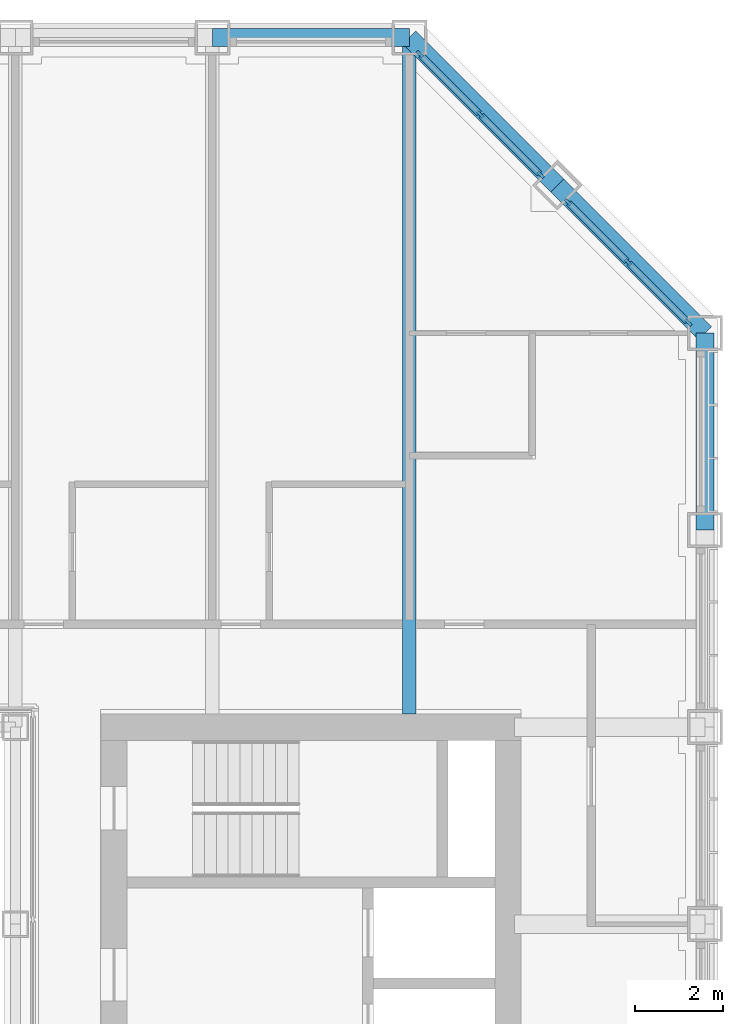
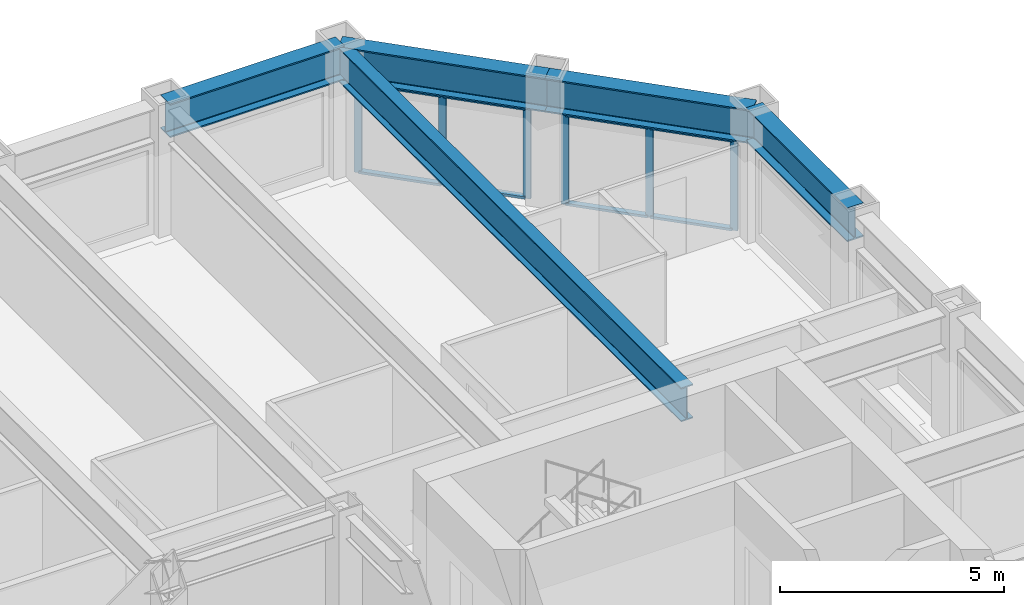
# One storey, part 8 of 18: 14 members, 5 beams, 2 elements without a shape of their own.
"""IFC4 building model written with IfcOpenShell, lengths in metres."""

import ifcopenshell
import ifcopenshell.guid

model = None  # the IFC model being written
_history = None  # IfcOwnerHistory: only IFC2X3 demands one
_inside = {}  # id of a spatial element -> (the spatial element, [elements in it])
_under = {}  # id of a project, library or spatial element -> (it, [spatial elements below it])
_declared = {}  # id of a project -> (the project, [libraries it declares])
_typed = {}  # id of a type object -> (the type object, [elements of that type])
_made_of = {}  # id of a material, layer set ... -> (it, [elements and type objects made of it])


def new_model(schema):
    """Start an empty IFC model of exactly this schema.

    Asked for "IFC4X3", IfcOpenShell would pick the latest addendum, in which some entities
    have other attributes; the version numbers below select the first issue.
    IFC2X3 requires an IfcOwnerHistory on every rooted entity: one is made here for all.
    """
    global model, _history
    if schema == "IFC4X3":
        model = ifcopenshell.file(schema_version=(4, 3, 0, 0))
    else:
        model = ifcopenshell.file(schema=schema)
    _inside.clear()
    _under.clear()
    _declared.clear()
    _typed.clear()
    _made_of.clear()
    _history = None
    if model.schema == "IFC2X3":
        org = make("IfcOrganization", Name="unknown")
        user = make(
            "IfcPersonAndOrganization",
            ThePerson=make("IfcPerson", FamilyName="unknown"),
            TheOrganization=org,
        )
        app = make(
            "IfcApplication",
            ApplicationDeveloper=org,
            Version="unknown",
            ApplicationFullName="unknown",
            ApplicationIdentifier="unknown",
        )
        _history = make(
            "IfcOwnerHistory",
            OwningUser=user,
            OwningApplication=app,
            ChangeAction="ADDED",
            CreationDate=0,
        )
    return model


def make(cls, **values):
    """One entity of the class cls with the attributes given. An attribute that is None is left unset."""
    return model.create_entity(
        cls, **{name: value for name, value in values.items() if value is not None}
    )


def rooted(cls, **values):
    """An entity with a GlobalId (a new one), such as an element, a storey or a relation."""
    return make(cls, GlobalId=ifcopenshell.guid.new(), OwnerHistory=_history, **values)


def si_unit(unit_type, name, prefix=None):
    """IfcSIUnit, for example si_unit("LENGTHUNIT", "METRE", prefix="MILLI")."""
    return make("IfcSIUnit", UnitType=unit_type, Prefix=prefix, Name=name)


def assignment(units):
    """IfcUnitAssignment: the units of a project."""
    return None if units is None else make("IfcUnitAssignment", Units=units)


def point(xyz):
    """IfcCartesianPoint."""
    return None if xyz is None else make("IfcCartesianPoint", Coordinates=xyz)


def direction(xyz):
    """IfcDirection."""
    return None if xyz is None else make("IfcDirection", DirectionRatios=xyz)


def frame(location, z_axis=None, x_axis=None):
    """IfcAxis2Placement3D, a coordinate frame: its origin and axes. An axis left out is left unset."""
    return make(
        "IfcAxis2Placement3D",
        Location=point(location),
        Axis=direction(z_axis),
        RefDirection=direction(x_axis),
    )


def frame_2d(location, x_axis=None):
    """IfcAxis2Placement2D, a coordinate frame in the plane: its origin and x axis."""
    return make(
        "IfcAxis2Placement2D", Location=point(location), RefDirection=direction(x_axis)
    )


def origin():
    """The frame at (0, 0, 0) with its axes left unset."""
    return frame((0.0, 0.0, 0.0))


def origin_2d():
    """The frame at (0, 0) in the plane with its x axis left unset."""
    return frame_2d((0.0, 0.0))


def place(relative_to, where):
    """IfcLocalPlacement: puts the frame where relative to a parent placement (None: the world)."""
    return make(
        "IfcLocalPlacement", PlacementRelTo=relative_to, RelativePlacement=where
    )


def context(
    kind, dimensions, precision=None, world=None, true_north=None, identifier=None
):
    """IfcGeometricRepresentationContext, for example the 3D "Model" context."""
    return make(
        "IfcGeometricRepresentationContext",
        ContextIdentifier=identifier,
        ContextType=kind,
        CoordinateSpaceDimension=dimensions,
        Precision=precision,
        WorldCoordinateSystem=world,
        TrueNorth=true_north,
    )


def subcontext(parent, identifier, kind, view, scale=None):
    """IfcGeometricRepresentationSubContext, for example "Body" below "Model"."""
    return make(
        "IfcGeometricRepresentationSubContext",
        ContextIdentifier=identifier,
        ContextType=kind,
        ParentContext=parent,
        TargetScale=scale,
        TargetView=view,
    )


def project(units=None, contexts=None):
    """IfcProject with its units and contexts."""
    return rooted(
        "IfcProject",
        Name="project",
        RepresentationContexts=contexts,
        UnitsInContext=assignment(units),
    )


def spatial(cls, under=None, at=None, **own):
    """A site, building, storey or space (cls), placed at a placement, below another one or the project."""
    s = rooted(cls, ObjectPlacement=at, **own)
    if under is not None:
        _under.setdefault(under.id(), (under, []))[1].append(s)
    return s


def profile(cls, at=None, kind="AREA", **sizes):
    """A parametric profile (cls). Its sizes go by their IFC names, for example OverallWidth=200.0."""
    return make(cls, ProfileType=kind, Position=at, **sizes)


def rectangle(**sizes):
    """IfcRectangleProfileDef."""
    return profile("IfcRectangleProfileDef", **sizes)


def i_section(**sizes):
    """IfcIShapeProfileDef."""
    return profile("IfcIShapeProfileDef", **sizes)


def extrude(swept, where, along, depth):
    """IfcExtrudedAreaSolid: the profile swept, set in the frame where, extruded along a direction by depth."""
    return make(
        "IfcExtrudedAreaSolid",
        SweptArea=swept,
        Position=where,
        ExtrudedDirection=direction(along),
        Depth=depth,
    )


def shape(context_of_items, identifier, shape_type, items):
    """IfcShapeRepresentation: the items that make up one representation, for example the "Body"."""
    return make(
        "IfcShapeRepresentation",
        ContextOfItems=context_of_items,
        RepresentationIdentifier=identifier,
        RepresentationType=shape_type,
        Items=items,
    )


def material(Name=None, Category=None):
    """IfcMaterial."""
    return make("IfcMaterial", Name=Name, Category=Category)


def material_profile(
    of_material, cross_section, Name=None, Category=None, Priority=None
):
    """IfcMaterialProfile: a cross section and its material."""
    return make(
        "IfcMaterialProfile",
        Name=Name,
        Material=of_material,
        Profile=cross_section,
        Priority=Priority,
        Category=Category,
    )


def profile_set(profiles, Name=None, composite=None):
    """IfcMaterialProfileSet."""
    return make(
        "IfcMaterialProfileSet",
        Name=Name,
        MaterialProfiles=profiles,
        CompositeProfile=composite,
    )


def made_of(thing, what):
    """Note that an element or type object is made of a material, layer set ...; save() writes the relation."""
    if what is not None:
        _made_of.setdefault(what.id(), (what, []))[1].append(thing)
    return thing


def type_object(cls, material=None, **own):
    """A type object (cls), such as IfcWallType, which elements share."""
    return made_of(rooted(cls, **own), material)


def element(
    cls,
    number,
    at=None,
    inside=None,
    cuts=None,
    type_object=None,
    material=None,
    context=None,
    identifier="Body",
    shape_type=None,
    held_by="IfcProductDefinitionShape",
    body=None,
    shapes=None,
    **own,
):
    """One element of the class cls, such as IfcWall. Its Tag is "e" and its number.

    at: its placement. inside: the storey or other place that contains it. cuts: it is an
    opening in that element (IfcRelVoidsElement). A single representation is given by context,
    identifier, shape_type and body (its items); several are given by shapes. held_by: the class
    of the entity that holds the representations. save() writes the other relations.
    """
    e = rooted(cls, Tag="e%d" % number, ObjectPlacement=at, **own)
    if body is not None:
        shapes = [shape(context, identifier, shape_type, body)]
    if shapes is not None:
        e.Representation = make(held_by, Representations=shapes)
    if inside is not None:
        _inside.setdefault(inside.id(), (inside, []))[1].append(e)
    if cuts is not None:
        rooted(
            "IfcRelVoidsElement", RelatingBuildingElement=cuts, RelatedOpeningElement=e
        )
    if type_object is not None:
        _typed.setdefault(type_object.id(), (type_object, []))[1].append(e)
    return made_of(e, material)


def aggregate(whole, parts):
    """IfcRelAggregates: a whole, such as a stair, and the parts it consists of."""
    return rooted("IfcRelAggregates", RelatingObject=whole, RelatedObjects=parts)


def save(model, path):
    """Write the relations noted so far, then the file.

    IfcRelAggregates (storeys below a building ...), IfcRelContainedInSpatialStructure (elements
    in a storey), IfcRelDefinesByType, IfcRelAssociatesMaterial and IfcRelDeclares: one each for
    every whole, place, type object, material and project.
    """
    for whole, parts in _under.values():
        aggregate(whole, parts)
    for where, things in _inside.values():
        rooted(
            "IfcRelContainedInSpatialStructure",
            RelatedElements=things,
            RelatingStructure=where,
        )
    for kind, things in _typed.values():
        rooted("IfcRelDefinesByType", RelatedObjects=things, RelatingType=kind)
    for what, things in _made_of.values():
        rooted("IfcRelAssociatesMaterial", RelatedObjects=things, RelatingMaterial=what)
    for by, libraries in _declared.values():
        rooted("IfcRelDeclares", RelatingContext=by, RelatedDefinitions=libraries)
    model.write(path)


model = new_model("IFC4")

# Units and contexts
model_context = context("Model", 3, precision=1e-05, world=origin(), true_north=direction((0.0, 1.0)))
body_context = subcontext(model_context, "Body", "Model", "MODEL_VIEW")
ifc_project = project(units=[si_unit("LENGTHUNIT", "METRE"), si_unit("AREAUNIT", "SQUARE_METRE"), si_unit("VOLUMEUNIT", "CUBIC_METRE"), si_unit("PLANEANGLEUNIT", "RADIAN"), si_unit("MASSUNIT", "GRAM", prefix="KILO")], contexts=[model_context])

# Site, building, storey
site_placement = place(None, origin())
site = spatial("IfcSite", under=ifc_project, at=site_placement, CompositionType="ELEMENT")
building_placement = place(site_placement, origin())
building = spatial("IfcBuilding", under=site, at=building_placement, Name="Msasa Ring Tower", CompositionType="ELEMENT")
storey_placement = place(building_placement, frame((0.0, 0.0, 125.60009765625)))
storey = spatial("IfcBuildingStorey", under=building, at=storey_placement, Name="L32", CompositionType="ELEMENT", Elevation=125.60009765625)

# Curtain wall, members
ifc_material_1 = material(Name="Aluminium curtain wall with clear glass", Category="aluminium")
curtain_wall_type = type_object("IfcCurtainWallType", Name="CW-C CHAMFER CORNER CURTAIN WALL", PredefinedType="NOTDEFINED", material=ifc_material_1)
curtain_wall_1_placement = place(storey_placement, origin())
curtain_wall_1 = element("IfcCurtainWall", 1, at=curtain_wall_1_placement, inside=storey, type_object=curtain_wall_type, Name="Chamfer corner curtain wall NE L32", PredefinedType="NOTDEFINED")
ifc_material_2 = material(Name="Aluminium mullion", Category="aluminium")
ifc_material_profile_1 = material_profile(ifc_material_2, rectangle(XDim=0.06494140625, YDim=0.179931640625, at=origin_2d()), Name="AL 65x180")
ifc_profile_set_1 = profile_set([ifc_material_profile_1], Name="Aluminium mullion")
member_type_1 = type_object("IfcMemberType", Name="CW-C MULLION 65x180", PredefinedType="MULLION", material=ifc_profile_set_1)
member_1_placement = place(storey_placement, frame((18.744873046875, 19.36376953125, 0.0), z_axis=(0.0, 0.0, 1.0), x_axis=(-0.707106781187, -0.707106781187, 0.0)))
member_1 = element("IfcMember", 2, at=member_1_placement, type_object=member_type_1, Name="CW-C mullion 1", PredefinedType="MULLION", context=body_context, shape_type="SweptSolid", body=[
    extrude(rectangle(XDim=0.06494140625, YDim=0.179931640625, at=origin_2d()), origin(), (0.0, 0.0, 1.0), 2.47900390625),
])
member_2_placement = place(storey_placement, frame((17.36669921875, 20.74169921875, 0.0), z_axis=(0.0, 0.0, 1.0), x_axis=(-0.707106781187, -0.707106781187, 0.0)))
member_2 = element("IfcMember", 3, at=member_2_placement, type_object=member_type_1, Name="CW-C mullion 2", PredefinedType="MULLION", context=body_context, shape_type="SweptSolid", body=[
    extrude(rectangle(XDim=0.06494140625, YDim=0.179931640625, at=origin_2d()), origin(), (0.0, 0.0, 1.0), 2.47900390625),
])
member_3_placement = place(storey_placement, frame((15.98876953125, 22.119873046875, 0.0), z_axis=(0.0, 0.0, 1.0), x_axis=(-0.707106781187, -0.707106781187, 0.0)))
member_3 = element("IfcMember", 4, at=member_3_placement, type_object=member_type_1, Name="CW-C mullion 3", PredefinedType="MULLION", context=body_context, shape_type="SweptSolid", body=[
    extrude(rectangle(XDim=0.06494140625, YDim=0.179931640625, at=origin_2d()), origin(), (0.0, 0.0, 1.0), 2.47900390625),
])

curtain_wall_2_placement = place(storey_placement, origin())
curtain_wall_2 = element("IfcCurtainWall", 5, at=curtain_wall_2_placement, inside=storey, type_object=curtain_wall_type, Name="Chamfer corner curtain wall NE L32", PredefinedType="NOTDEFINED")
member_4_placement = place(storey_placement, frame((22.119873046875, 15.98876953125, 0.0), z_axis=(0.0, 0.0, 1.0), x_axis=(-0.707106781187, -0.707106781187, 0.0)))
member_4 = element("IfcMember", 6, at=member_4_placement, type_object=member_type_1, Name="CW-C mullion 1", PredefinedType="MULLION", context=body_context, shape_type="SweptSolid", body=[
    extrude(rectangle(XDim=0.06494140625, YDim=0.179931640625, at=origin_2d()), origin(), (0.0, 0.0, 1.0), 2.47900390625),
])
member_5_placement = place(storey_placement, frame((20.74169921875, 17.36669921875, 0.0), z_axis=(0.0, 0.0, 1.0), x_axis=(-0.707106781187, -0.707106781187, 0.0)))
member_5 = element("IfcMember", 7, at=member_5_placement, type_object=member_type_1, Name="CW-C mullion 2", PredefinedType="MULLION", context=body_context, shape_type="SweptSolid", body=[
    extrude(rectangle(XDim=0.06494140625, YDim=0.179931640625, at=origin_2d()), origin(), (0.0, 0.0, 1.0), 2.47900390625),
])
member_6_placement = place(storey_placement, frame((19.36376953125, 18.744873046875, 0.0), z_axis=(0.0, 0.0, 1.0), x_axis=(-0.707106781187, -0.707106781187, 0.0)))
member_6 = element("IfcMember", 8, at=member_6_placement, type_object=member_type_1, Name="CW-C mullion 3", PredefinedType="MULLION", context=body_context, shape_type="SweptSolid", body=[
    extrude(rectangle(XDim=0.06494140625, YDim=0.179931640625, at=origin_2d()), origin(), (0.0, 0.0, 1.0), 2.47900390625),
])

# Member
ifc_material_3 = material(Name="Aluminium transom", Category="aluminium")
ifc_material_profile_2 = material_profile(ifc_material_3, rectangle(XDim=0.139892578125, YDim=0.06494140625, at=origin_2d()), Name="AL 65x140")
ifc_profile_set_2 = profile_set([ifc_material_profile_2], Name="Aluminium transom")
member_type_2 = type_object("IfcMemberType", Name="CW-C TRANSOM 65x140", PredefinedType="USERDEFINED", material=ifc_profile_set_2)
member_7_placement = place(storey_placement, frame((18.721923828125, 19.38671875, 0.032470703125), z_axis=(-0.707106781187, 0.707106781187, 0.0), x_axis=(-0.707106781187, -0.707106781187, 0.0)))
member_7 = element("IfcMember", 9, at=member_7_placement, type_object=member_type_2, Name="CW-C transom 1.1", ObjectType="TRANSOM", PredefinedType="USERDEFINED", context=body_context, shape_type="SweptSolid", body=[
    extrude(rectangle(XDim=0.139892578125, YDim=0.06494140625, at=origin_2d()), origin(), (0.0, 0.0, 1.0), 1.8837890625),
])

member_8_placement = place(storey_placement, frame((18.721923828125, 19.38671875, 2.4462890625), z_axis=(-0.707106781187, 0.707106781187, 0.0), x_axis=(-0.707106781187, -0.707106781187, 0.0)))
member_8 = element("IfcMember", 10, at=member_8_placement, type_object=member_type_2, Name="CW-C transom 1.2", ObjectType="TRANSOM", PredefinedType="USERDEFINED", context=body_context, shape_type="SweptSolid", body=[
    extrude(rectangle(XDim=0.139892578125, YDim=0.06494140625, at=origin_2d()), origin(), (0.0, 0.0, 1.0), 1.8837890625),
])

member_9_placement = place(storey_placement, frame((17.34375, 20.764892578125, 0.032470703125), z_axis=(-0.707106781187, 0.707106781187, 0.0), x_axis=(-0.707106781187, -0.707106781187, 0.0)))
member_9 = element("IfcMember", 11, at=member_9_placement, type_object=member_type_2, Name="CW-C transom 2.1", ObjectType="TRANSOM", PredefinedType="USERDEFINED", context=body_context, shape_type="SweptSolid", body=[
    extrude(rectangle(XDim=0.139892578125, YDim=0.06494140625, at=origin_2d()), origin(), (0.0, 0.0, 1.0), 1.8837890625),
])

member_10_placement = place(storey_placement, frame((17.34375, 20.764892578125, 2.4462890625), z_axis=(-0.707106781187, 0.707106781187, 0.0), x_axis=(-0.707106781187, -0.707106781187, 0.0)))
member_10 = element("IfcMember", 12, at=member_10_placement, type_object=member_type_2, Name="CW-C transom 2.2", ObjectType="TRANSOM", PredefinedType="USERDEFINED", context=body_context, shape_type="SweptSolid", body=[
    extrude(rectangle(XDim=0.139892578125, YDim=0.06494140625, at=origin_2d()), origin(), (0.0, 0.0, 1.0), 1.8837890625),
])

aggregate(curtain_wall_1, [member_1, member_2, member_3, member_7, member_8, member_9, member_10])

member_11_placement = place(storey_placement, frame((22.096923828125, 16.01171875, 0.032470703125), z_axis=(-0.707106781187, 0.707106781187, 0.0), x_axis=(-0.707106781187, -0.707106781187, 0.0)))
member_11 = element("IfcMember", 13, at=member_11_placement, type_object=member_type_2, Name="CW-C transom 1.1", ObjectType="TRANSOM", PredefinedType="USERDEFINED", context=body_context, shape_type="SweptSolid", body=[
    extrude(rectangle(XDim=0.139892578125, YDim=0.06494140625, at=origin_2d()), origin(), (0.0, 0.0, 1.0), 1.8837890625),
])

member_12_placement = place(storey_placement, frame((22.096923828125, 16.01171875, 2.4462890625), z_axis=(-0.707106781187, 0.707106781187, 0.0), x_axis=(-0.707106781187, -0.707106781187, 0.0)))
member_12 = element("IfcMember", 14, at=member_12_placement, type_object=member_type_2, Name="CW-C transom 1.2", ObjectType="TRANSOM", PredefinedType="USERDEFINED", context=body_context, shape_type="SweptSolid", body=[
    extrude(rectangle(XDim=0.139892578125, YDim=0.06494140625, at=origin_2d()), origin(), (0.0, 0.0, 1.0), 1.8837890625),
])

member_13_placement = place(storey_placement, frame((20.71875, 17.389892578125, 0.032470703125), z_axis=(-0.707106781187, 0.707106781187, 0.0), x_axis=(-0.707106781187, -0.707106781187, 0.0)))
member_13 = element("IfcMember", 15, at=member_13_placement, type_object=member_type_2, Name="CW-C transom 2.1", ObjectType="TRANSOM", PredefinedType="USERDEFINED", context=body_context, shape_type="SweptSolid", body=[
    extrude(rectangle(XDim=0.139892578125, YDim=0.06494140625, at=origin_2d()), origin(), (0.0, 0.0, 1.0), 1.8837890625),
])

member_14_placement = place(storey_placement, frame((20.71875, 17.389892578125, 2.4462890625), z_axis=(-0.707106781187, 0.707106781187, 0.0), x_axis=(-0.707106781187, -0.707106781187, 0.0)))
member_14 = element("IfcMember", 16, at=member_14_placement, type_object=member_type_2, Name="CW-C transom 2.2", ObjectType="TRANSOM", PredefinedType="USERDEFINED", context=body_context, shape_type="SweptSolid", body=[
    extrude(rectangle(XDim=0.139892578125, YDim=0.06494140625, at=origin_2d()), origin(), (0.0, 0.0, 1.0), 1.8837890625),
])

aggregate(curtain_wall_2, [member_4, member_5, member_6, member_11, member_12, member_13, member_14])

# Beams
ifc_material_4 = material(Name="Steel S355", Category="steel")
ifc_material_profile_3 = material_profile(ifc_material_4, i_section(OverallWidth=0.3076171875, OverallDepth=0.926513671875, WebThickness=0.01953125, FlangeThickness=0.031982421875, FilletRadius=0.01904296875, at=origin_2d()), Name="UB 914x305x289")
ifc_profile_set_3 = profile_set([ifc_material_profile_3], Name="Steel S355")
beam_type_1 = type_object("IfcBeamType", Name="FB3 UB 914x305x289", PredefinedType="BEAM", material=ifc_profile_set_3)
beam_1_placement = place(storey_placement, frame((15.75, 22.5, 2.9365234375), z_axis=(0.0, -1.0, 0.0), x_axis=(1.0, 0.0, 0.0)))
element("IfcBeam", 17, at=beam_1_placement, inside=storey, type_object=beam_type_1, Name="Floor beam N+15.75 under L33", PredefinedType="BEAM", context=body_context, shape_type="SweptSolid", body=[
    extrude(i_section(OverallWidth=0.3076171875, OverallDepth=0.926513671875, WebThickness=0.01953125, FlangeThickness=0.031982421875, FilletRadius=0.01904296875, at=origin_2d()), origin(), (0.0, 0.0, 1.0), 15.449951171875),
])
ifc_material_5 = material(Name="Steel S355", Category="steel")
ifc_material_profile_4 = material_profile(ifc_material_5, i_section(OverallWidth=0.42041015625, OverallDepth=0.9208984375, WebThickness=0.021484375, FlangeThickness=0.03662109375, FilletRadius=0.024169921875, at=origin_2d()), Name="UB 914x419x388")
ifc_profile_set_4 = profile_set([ifc_material_profile_4], Name="Steel S355")
beam_type_2 = type_object("IfcBeamType", Name="SB1 UB 914x419x388", PredefinedType="SPANDREL", material=ifc_profile_set_4)
beam_2_placement = place(storey_placement, frame((22.5, 11.25, 2.939453125), z_axis=(0.0, 1.0, 0.0), x_axis=(-1.0, 0.0, 0.0)))
element("IfcBeam", 18, at=beam_2_placement, inside=storey, type_object=beam_type_2, Name="Spandrel E+11.25 to E+15.75 under L33", PredefinedType="SPANDREL", context=body_context, shape_type="SweptSolid", body=[
    extrude(i_section(OverallWidth=0.42041015625, OverallDepth=0.9208984375, WebThickness=0.021484375, FlangeThickness=0.03662109375, FilletRadius=0.024169921875, at=origin_2d()), origin(), (0.0, 0.0, 1.0), 4.5),
])
for number, where, z_axis, x_axis, name in (
    (19, (22.5, 15.75, 2.939453125), (-0.707106781187, 0.707106781187, 0.0), (-0.707106781187, -0.707106781187, 0.0), "Spandrel E+15.75 to NE under L33"),
    (20, (19.125, 19.125, 2.939453125), (-0.707106781187, 0.707106781187, 0.0), (-0.707106781187, -0.707106781187, 0.0), "Spandrel NE to N+15.75 under L33"),
):
    element("IfcBeam", number, at=place(storey_placement, frame(where, z_axis=z_axis, x_axis=x_axis)), inside=storey, type_object=beam_type_2, Name=name, PredefinedType="SPANDREL", context=body_context, shape_type="SweptSolid", body=[
        extrude(i_section(OverallWidth=0.42041015625, OverallDepth=0.9208984375, WebThickness=0.021484375, FlangeThickness=0.03662109375, FilletRadius=0.024169921875, at=origin_2d()), origin(), (0.0, 0.0, 1.0), 4.77294921875),
    ])
beam_3_placement = place(storey_placement, frame((15.75, 22.5, 2.939453125), z_axis=(-1.0, 0.0, 0.0), x_axis=(0.0, -1.0, 0.0)))
element("IfcBeam", 21, at=beam_3_placement, inside=storey, type_object=beam_type_2, Name="Spandrel N+15.75 to N+11.25 under L33", PredefinedType="SPANDREL", context=body_context, shape_type="SweptSolid", body=[
    extrude(i_section(OverallWidth=0.42041015625, OverallDepth=0.9208984375, WebThickness=0.021484375, FlangeThickness=0.03662109375, FilletRadius=0.024169921875, at=origin_2d()), origin(), (0.0, 0.0, 1.0), 4.5),
])

save(model, "model.ifc")
